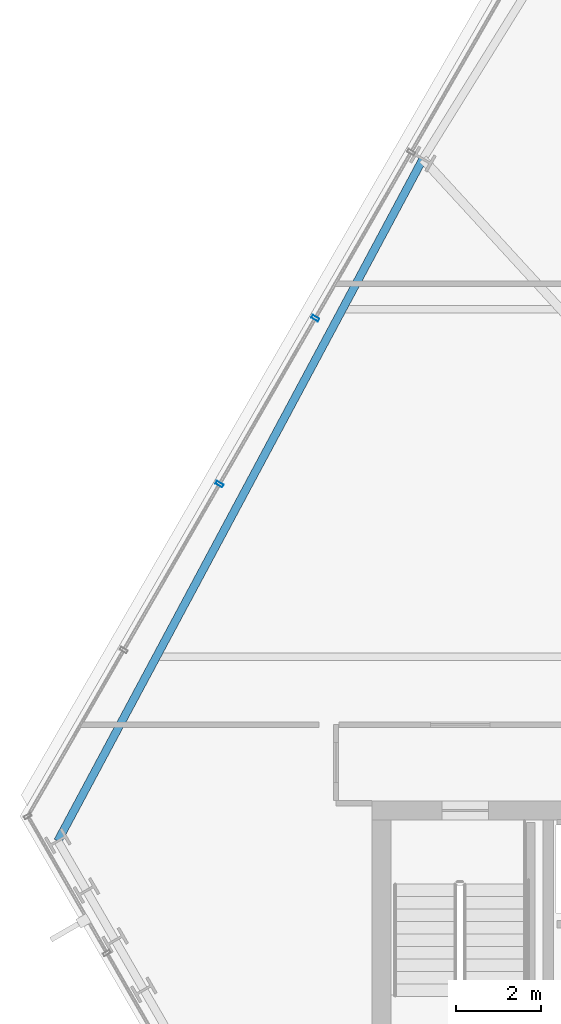
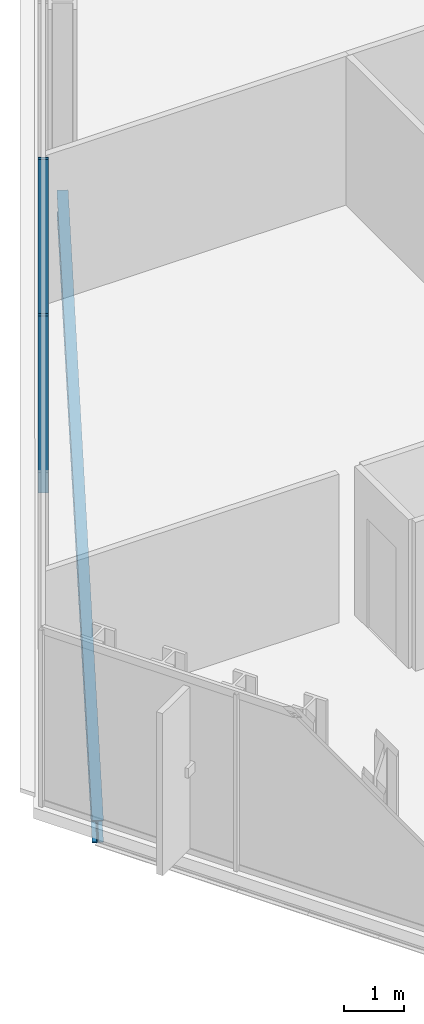
# One storey, part 11 of 33: 2 members, 1 beam, 1 element without a shape of its own.
"""IFC4 building model written with IfcOpenShell, lengths in metres."""

from ifc_helpers import new_model, si_unit, direction, frame, origin, origin_2d, place, context, subcontext, project, spatial, hollow_rectangle, i_section, extrude, material, layer, layer_set, material_profile, profile_set, type_object, element, aggregate, save


model = new_model("IFC4")

# Units and contexts
model_context = context("Model", 3, precision=1e-05, world=origin(), true_north=direction((0.0, 1.0)))
body_context = subcontext(model_context, "Body", "Model", "MODEL_VIEW")
ifc_project = project(units=[si_unit("LENGTHUNIT", "METRE"), si_unit("AREAUNIT", "SQUARE_METRE"), si_unit("VOLUMEUNIT", "CUBIC_METRE"), si_unit("PLANEANGLEUNIT", "RADIAN"), si_unit("MASSUNIT", "GRAM", prefix="KILO")], contexts=[model_context])

# Site, building, storey
site_placement = place(None, origin())
site = spatial("IfcSite", under=ifc_project, at=site_placement, CompositionType="ELEMENT")
building_placement = place(site_placement, origin())
building = spatial("IfcBuilding", under=site, at=building_placement, Name="Ndaravel Arena Tower", CompositionType="ELEMENT")
storey_placement = place(building_placement, frame((0.0, 0.0, 149.800048828125)))
storey = spatial("IfcBuildingStorey", under=building, at=storey_placement, Name="L35", CompositionType="ELEMENT", Elevation=149.800048828125)

# Beam
ifc_material_1 = material(Name="Steel S355", Category="steel")
ifc_material_profile_1 = material_profile(ifc_material_1, i_section(OverallWidth=0.18994140625, OverallDepth=0.449951171875, WebThickness=0.009521484375, FlangeThickness=0.0146484375, FilletRadius=0.02099609375, at=origin_2d()), Name="IPE 450")
ifc_profile_set_1 = profile_set([ifc_material_profile_1], Name="Steel S355")
beam_type = type_object("IfcBeamType", Name="BM-SPAN-IPE450", PredefinedType="SPANDREL", material=ifc_profile_set_1)
beam_placement = place(storey_placement, frame((27.647216796875, 30.339599609375, -0.445068359375), z_axis=(-0.47193833107, -0.881631562313, 0.0), x_axis=(0.881631562313, -0.47193833107, 0.0)))
element("IfcBeam", 1, at=beam_placement, inside=storey, type_object=beam_type, Name="L35 Perimeter Spandrel Beam SP-19", PredefinedType="SPANDREL", context=body_context, shape_type="SweptSolid", body=[
    extrude(i_section(OverallWidth=0.18994140625, OverallDepth=0.449951171875, WebThickness=0.009521484375, FlangeThickness=0.0146484375, FilletRadius=0.02099609375, at=origin_2d()), origin(), (0.0, 0.0, 1.0), 18.238525390625),
])

# Curtain wall, members
ifc_material_2 = material(Name="Aluminium", Category="aluminium")
ifc_layer = layer(ifc_material_2, 0.179931640625)
ifc_layer_set = layer_set([ifc_layer], Name="Aluminium")
curtain_wall_type = type_object("IfcCurtainWallType", Name="CW-SYS-03", PredefinedType="NOTDEFINED", material=ifc_layer_set)
curtain_wall_placement = place(storey_placement, origin())
curtain_wall = element("IfcCurtainWall", 2, at=curtain_wall_placement, inside=storey, type_object=curtain_wall_type, Name="L35 Faceted Crystal Curtain Wall CW-L35-E05", PredefinedType="NOTDEFINED")
ifc_material_3 = material(Name="Aluminium", Category="aluminium")
ifc_material_profile_2 = material_profile(ifc_material_3, hollow_rectangle(XDim=0.074951171875, YDim=0.179931640625, WallThickness=0.00390625, at=origin_2d()), Name="CW MULLION 75x180x4")
ifc_profile_set_2 = profile_set([ifc_material_profile_2], Name="Aluminium")
member_type = type_object("IfcMemberType", Name="MEM-CW-MUL180", PredefinedType="MULLION", material=ifc_profile_set_2)
member_1_placement = place(storey_placement, frame((25.110595703125, 26.5859375, 0.0), z_axis=(0.0, 0.0, 1.0), x_axis=(-0.5, -0.866025403784, 0.0)))
member_1 = element("IfcMember", 3, at=member_1_placement, type_object=member_type, Name="CW-L35-E05 Mullion 05", PredefinedType="MULLION", context=body_context, shape_type="SweptSolid", body=[
    extrude(hollow_rectangle(XDim=0.074951171875, YDim=0.179931640625, WallThickness=0.00390625, at=origin_2d()), origin(), (0.0, 0.0, 1.0), 3.579833984375),
])
member_2_placement = place(storey_placement, frame((22.851318359375, 22.672607421875, 0.0), z_axis=(0.0, 0.0, 1.0), x_axis=(-0.5, -0.866025403784, 0.0)))
member_2 = element("IfcMember", 4, at=member_2_placement, type_object=member_type, Name="CW-L35-E05 Mullion 06", PredefinedType="MULLION", context=body_context, shape_type="SweptSolid", body=[
    extrude(hollow_rectangle(XDim=0.074951171875, YDim=0.179931640625, WallThickness=0.00390625, at=origin_2d()), origin(), (0.0, 0.0, 1.0), 3.579833984375),
])
aggregate(curtain_wall, [member_1, member_2])

save(model, "model.ifc")
